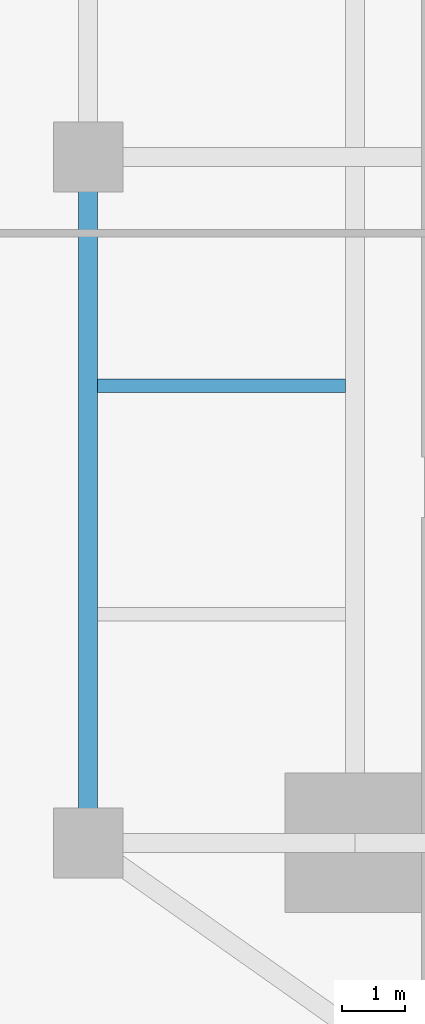
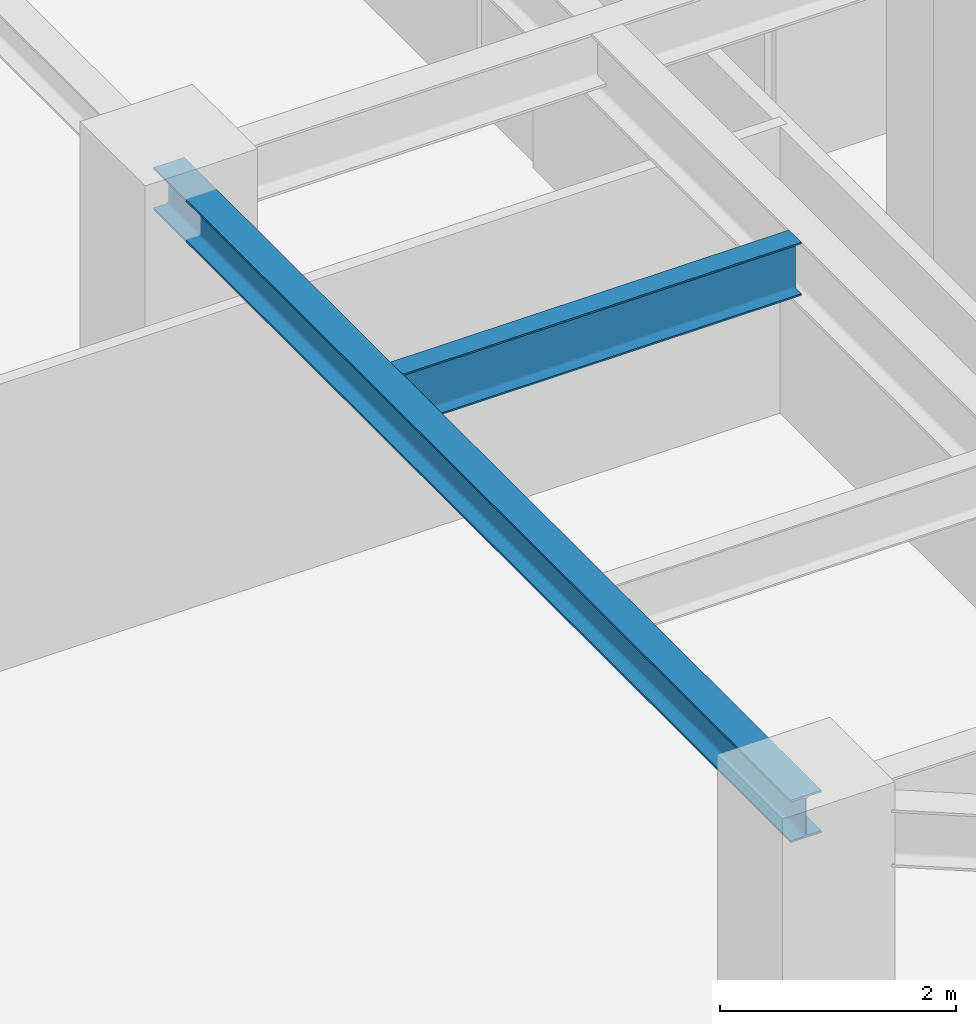
# One storey, part 9 of 30: 2 beams.
"""IFC4 building model written with IfcOpenShell, lengths in metres."""

from ifc_helpers import new_model, si_unit, direction, frame, origin, origin_2d, place, context, subcontext, project, spatial, i_section, extrude, source, transform, mapped, material, material_profile, profile_set, type_object, type_shapes, element, save


model = new_model("IFC4")

# Units and contexts
model_context = context("Model", 3, precision=1e-05, world=origin(), true_north=direction((0.0, 1.0)))
body_context = subcontext(model_context, "Body", "Model", "MODEL_VIEW")
ifc_project = project(units=[si_unit("LENGTHUNIT", "METRE"), si_unit("AREAUNIT", "SQUARE_METRE"), si_unit("VOLUMEUNIT", "CUBIC_METRE"), si_unit("PLANEANGLEUNIT", "RADIAN"), si_unit("MASSUNIT", "GRAM", prefix="KILO")], contexts=[model_context])

# Site, building, storey
site_placement = place(None, origin())
site = spatial("IfcSite", under=ifc_project, at=site_placement, CompositionType="ELEMENT")
building_placement = place(site_placement, origin())
building = spatial("IfcBuilding", under=site, at=building_placement, Name="Krantzveldt Concourse Tower", CompositionType="ELEMENT")
storey_placement = place(building_placement, frame((0.0, 0.0, 44.75)))
storey = spatial("IfcBuildingStorey", under=building, at=storey_placement, Name="L10", CompositionType="ELEMENT", Elevation=44.75)

# Beams
ifc_material = material(Name="Steel S355JR", Category="steel")
ifc_material_profile_1 = material_profile(ifc_material, i_section(OverallWidth=0.300048828125, OverallDepth=0.43994140625, WebThickness=0.011474609375, FlangeThickness=0.02099609375, FilletRadius=0.027099609375, at=origin_2d()), Name="Steel S355JR", Category="steel")
ifc_profile_set_1 = profile_set([ifc_material_profile_1], Name="Steel S355JR - HEA 450")
beam_type_1 = type_object("IfcBeamType", Name="BM-SP-HEA450", PredefinedType="SPANDREL", material=ifc_profile_set_1)
shared_shape_1 = source(origin(), body_context, "Body", "SweptSolid", [
    extrude(i_section(OverallWidth=0.300048828125, OverallDepth=0.43994140625, WebThickness=0.011474609375, FlangeThickness=0.02099609375, FilletRadius=0.027099609375, at=origin_2d()), origin(), (0.0, 0.0, 1.0), 10.800048828125),
])
type_shapes(beam_type_1, [shared_shape_1])
beam_1_placement = place(storey_placement, frame((21.0, 15.89990234375, 3.449951171875), z_axis=(0.0, 1.0, 0.0), x_axis=(-1.0, 0.0, 0.0)))
element("IfcBeam", 1, at=beam_1_placement, inside=storey, type_object=beam_type_1, Name="L10 Tower Girder SP-R01", PredefinedType="SPANDREL", context=body_context, shape_type="MappedRepresentation", body=[
    mapped(shared_shape_1, transform((0.0, 0.0, 0.0), x_axis=(1.0, 0.0, 0.0), y_axis=(0.0, 1.0, 0.0), z_axis=(0.0, 0.0, 1.0), scale=1.0)),
])
ifc_material_profile_2 = material_profile(ifc_material, i_section(OverallWidth=0.2099609375, OverallDepth=0.550048828125, WebThickness=0.010986328125, FlangeThickness=0.01708984375, FilletRadius=0.02392578125, at=origin_2d()), Name="Steel S355JR", Category="steel")
ifc_profile_set_2 = profile_set([ifc_material_profile_2], Name="Steel S355JR - IPE 550")
beam_type_2 = type_object("IfcBeamType", Name="BM-J-IPE550", PredefinedType="JOIST", material=ifc_profile_set_2)
shared_shape_2 = source(origin(), body_context, "Body", "SweptSolid", [
    extrude(i_section(OverallWidth=0.2099609375, OverallDepth=0.550048828125, WebThickness=0.010986328125, FlangeThickness=0.01708984375, FilletRadius=0.02392578125, at=origin_2d()), origin(), (0.0, 0.0, 1.0), 3.900146484375),
])
type_shapes(beam_type_2, [shared_shape_2])
beam_2_placement = place(storey_placement, frame((21.14990234375, 23.10009765625, 3.39501953125), z_axis=(1.0, 0.0, 0.0), x_axis=(0.0, 1.0, 0.0)))
element("IfcBeam", 2, at=beam_2_placement, inside=storey, type_object=beam_type_2, Name="L10 Secondary Floor Joist JW-2", PredefinedType="JOIST", context=body_context, shape_type="MappedRepresentation", body=[
    mapped(shared_shape_2, transform((0.0, 0.0, 0.0), x_axis=(1.0, 0.0, 0.0), y_axis=(0.0, 1.0, 0.0), z_axis=(0.0, 0.0, 1.0), scale=1.0)),
])

save(model, "model.ifc")
